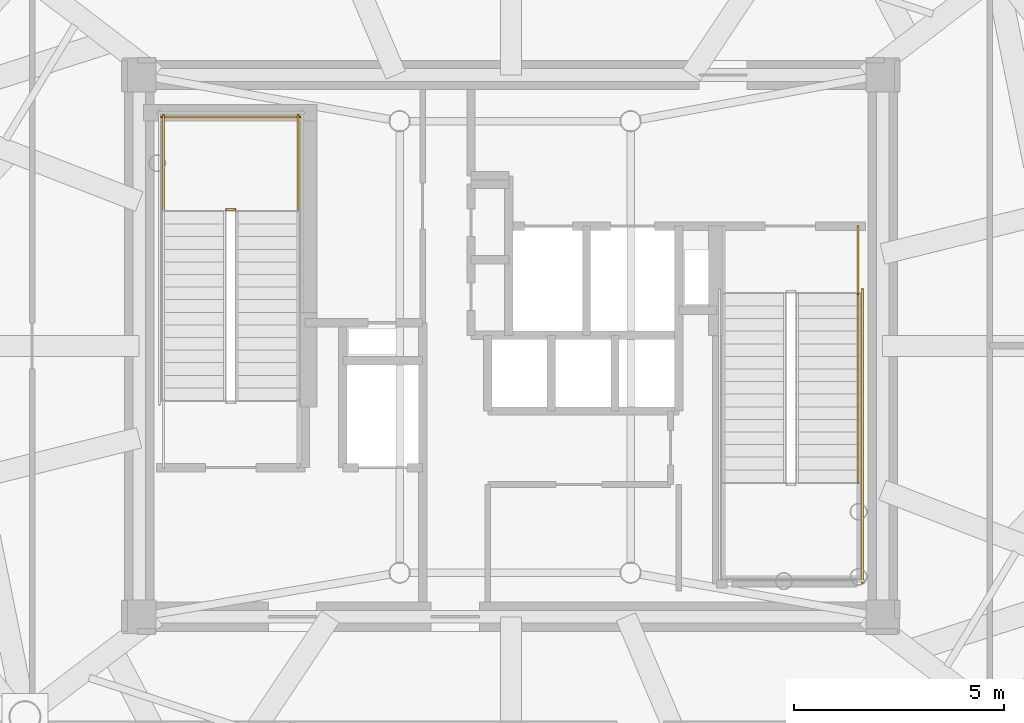
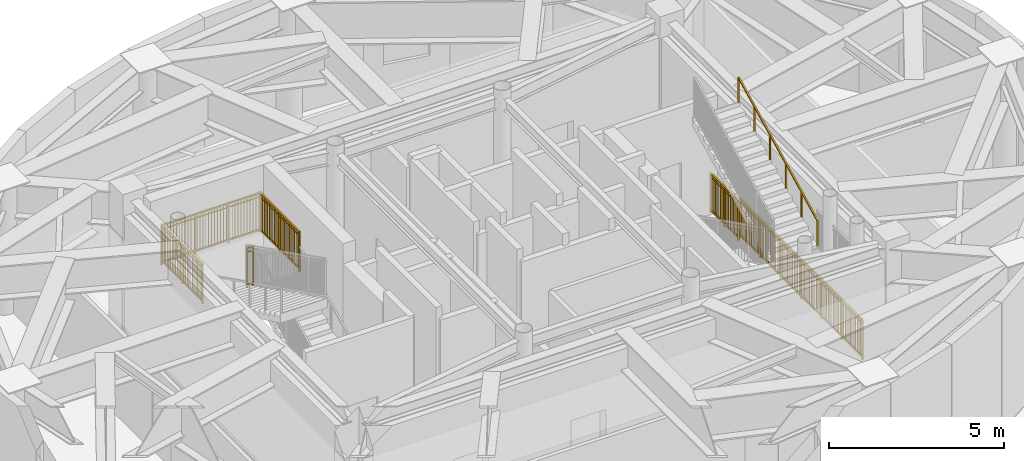
# One storey, part 10 of 11: 7 railings.
"""IFC4 building model written with IfcOpenShell, lengths in metres."""

import ifcopenshell
import ifcopenshell.guid

model = None  # the IFC model being written
_history = None  # IfcOwnerHistory: only IFC2X3 demands one
_inside = {}  # id of a spatial element -> (the spatial element, [elements in it])
_under = {}  # id of a project, library or spatial element -> (it, [spatial elements below it])
_declared = {}  # id of a project -> (the project, [libraries it declares])
_typed = {}  # id of a type object -> (the type object, [elements of that type])
_made_of = {}  # id of a material, layer set ... -> (it, [elements and type objects made of it])


def new_model(schema):
    """Start an empty IFC model of exactly this schema.

    Asked for "IFC4X3", IfcOpenShell would pick the latest addendum, in which some entities
    have other attributes; the version numbers below select the first issue.
    IFC2X3 requires an IfcOwnerHistory on every rooted entity: one is made here for all.
    """
    global model, _history
    if schema == "IFC4X3":
        model = ifcopenshell.file(schema_version=(4, 3, 0, 0))
    else:
        model = ifcopenshell.file(schema=schema)
    _inside.clear()
    _under.clear()
    _declared.clear()
    _typed.clear()
    _made_of.clear()
    _history = None
    if model.schema == "IFC2X3":
        org = make("IfcOrganization", Name="unknown")
        user = make(
            "IfcPersonAndOrganization",
            ThePerson=make("IfcPerson", FamilyName="unknown"),
            TheOrganization=org,
        )
        app = make(
            "IfcApplication",
            ApplicationDeveloper=org,
            Version="unknown",
            ApplicationFullName="unknown",
            ApplicationIdentifier="unknown",
        )
        _history = make(
            "IfcOwnerHistory",
            OwningUser=user,
            OwningApplication=app,
            ChangeAction="ADDED",
            CreationDate=0,
        )
    return model


def make(cls, **values):
    """One entity of the class cls with the attributes given. An attribute that is None is left unset."""
    return model.create_entity(
        cls, **{name: value for name, value in values.items() if value is not None}
    )


def rooted(cls, **values):
    """An entity with a GlobalId (a new one), such as an element, a storey or a relation."""
    return make(cls, GlobalId=ifcopenshell.guid.new(), OwnerHistory=_history, **values)


def si_unit(unit_type, name, prefix=None):
    """IfcSIUnit, for example si_unit("LENGTHUNIT", "METRE", prefix="MILLI")."""
    return make("IfcSIUnit", UnitType=unit_type, Prefix=prefix, Name=name)


def assignment(units):
    """IfcUnitAssignment: the units of a project."""
    return None if units is None else make("IfcUnitAssignment", Units=units)


def point(xyz):
    """IfcCartesianPoint."""
    return None if xyz is None else make("IfcCartesianPoint", Coordinates=xyz)


def direction(xyz):
    """IfcDirection."""
    return None if xyz is None else make("IfcDirection", DirectionRatios=xyz)


def frame(location, z_axis=None, x_axis=None):
    """IfcAxis2Placement3D, a coordinate frame: its origin and axes. An axis left out is left unset."""
    return make(
        "IfcAxis2Placement3D",
        Location=point(location),
        Axis=direction(z_axis),
        RefDirection=direction(x_axis),
    )


def frame_2d(location, x_axis=None):
    """IfcAxis2Placement2D, a coordinate frame in the plane: its origin and x axis."""
    return make(
        "IfcAxis2Placement2D", Location=point(location), RefDirection=direction(x_axis)
    )


def origin():
    """The frame at (0, 0, 0) with its axes left unset."""
    return frame((0.0, 0.0, 0.0))


def origin_2d():
    """The frame at (0, 0) in the plane with its x axis left unset."""
    return frame_2d((0.0, 0.0))


def place(relative_to, where):
    """IfcLocalPlacement: puts the frame where relative to a parent placement (None: the world)."""
    return make(
        "IfcLocalPlacement", PlacementRelTo=relative_to, RelativePlacement=where
    )


def context(
    kind, dimensions, precision=None, world=None, true_north=None, identifier=None
):
    """IfcGeometricRepresentationContext, for example the 3D "Model" context."""
    return make(
        "IfcGeometricRepresentationContext",
        ContextIdentifier=identifier,
        ContextType=kind,
        CoordinateSpaceDimension=dimensions,
        Precision=precision,
        WorldCoordinateSystem=world,
        TrueNorth=true_north,
    )


def subcontext(parent, identifier, kind, view, scale=None):
    """IfcGeometricRepresentationSubContext, for example "Body" below "Model"."""
    return make(
        "IfcGeometricRepresentationSubContext",
        ContextIdentifier=identifier,
        ContextType=kind,
        ParentContext=parent,
        TargetScale=scale,
        TargetView=view,
    )


def project(units=None, contexts=None):
    """IfcProject with its units and contexts."""
    return rooted(
        "IfcProject",
        Name="project",
        RepresentationContexts=contexts,
        UnitsInContext=assignment(units),
    )


def spatial(cls, under=None, at=None, **own):
    """A site, building, storey or space (cls), placed at a placement, below another one or the project."""
    s = rooted(cls, ObjectPlacement=at, **own)
    if under is not None:
        _under.setdefault(under.id(), (under, []))[1].append(s)
    return s


def profile(cls, at=None, kind="AREA", **sizes):
    """A parametric profile (cls). Its sizes go by their IFC names, for example OverallWidth=200.0."""
    return make(cls, ProfileType=kind, Position=at, **sizes)


def rectangle(**sizes):
    """IfcRectangleProfileDef."""
    return profile("IfcRectangleProfileDef", **sizes)


def extrude(swept, where, along, depth):
    """IfcExtrudedAreaSolid: the profile swept, set in the frame where, extruded along a direction by depth."""
    return make(
        "IfcExtrudedAreaSolid",
        SweptArea=swept,
        Position=where,
        ExtrudedDirection=direction(along),
        Depth=depth,
    )


def shape(context_of_items, identifier, shape_type, items):
    """IfcShapeRepresentation: the items that make up one representation, for example the "Body"."""
    return make(
        "IfcShapeRepresentation",
        ContextOfItems=context_of_items,
        RepresentationIdentifier=identifier,
        RepresentationType=shape_type,
        Items=items,
    )


def source(mapping_origin, context_of_items, identifier, shape_type, items):
    """IfcRepresentationMap: a shape defined once, which mapped items show again and again."""
    return make(
        "IfcRepresentationMap",
        MappingOrigin=mapping_origin,
        MappedRepresentation=shape(context_of_items, identifier, shape_type, items),
    )


def transform(
    local_origin,
    x_axis=None,
    y_axis=None,
    z_axis=None,
    scale=None,
    scale2=None,
    scale3=None,
    uniform=True,
):
    """IfcCartesianTransformationOperator3D, or its non-uniform kind. x_axis, y_axis, z_axis: its Axis1, 2, 3."""
    if uniform:
        return make(
            "IfcCartesianTransformationOperator3D",
            Axis1=direction(x_axis),
            Axis2=direction(y_axis),
            LocalOrigin=point(local_origin),
            Scale=scale,
            Axis3=direction(z_axis),
        )
    return make(
        "IfcCartesianTransformationOperator3DnonUniform",
        Axis1=direction(x_axis),
        Axis2=direction(y_axis),
        LocalOrigin=point(local_origin),
        Scale=scale,
        Axis3=direction(z_axis),
        Scale2=scale2,
        Scale3=scale3,
    )


def mapped(mapping_source, mapping_target):
    """IfcMappedItem: shows the shape of a source again, moved by a transform."""
    return make(
        "IfcMappedItem", MappingSource=mapping_source, MappingTarget=mapping_target
    )


def material(Name=None, Category=None):
    """IfcMaterial."""
    return make("IfcMaterial", Name=Name, Category=Category)


def made_of(thing, what):
    """Note that an element or type object is made of a material, layer set ...; save() writes the relation."""
    if what is not None:
        _made_of.setdefault(what.id(), (what, []))[1].append(thing)
    return thing


def type_object(cls, material=None, **own):
    """A type object (cls), such as IfcWallType, which elements share."""
    return made_of(rooted(cls, **own), material)


def element(
    cls,
    number,
    at=None,
    inside=None,
    cuts=None,
    type_object=None,
    material=None,
    context=None,
    identifier="Body",
    shape_type=None,
    held_by="IfcProductDefinitionShape",
    body=None,
    shapes=None,
    **own,
):
    """One element of the class cls, such as IfcWall. Its Tag is "e" and its number.

    at: its placement. inside: the storey or other place that contains it. cuts: it is an
    opening in that element (IfcRelVoidsElement). A single representation is given by context,
    identifier, shape_type and body (its items); several are given by shapes. held_by: the class
    of the entity that holds the representations. save() writes the other relations.
    """
    e = rooted(cls, Tag="e%d" % number, ObjectPlacement=at, **own)
    if body is not None:
        shapes = [shape(context, identifier, shape_type, body)]
    if shapes is not None:
        e.Representation = make(held_by, Representations=shapes)
    if inside is not None:
        _inside.setdefault(inside.id(), (inside, []))[1].append(e)
    if cuts is not None:
        rooted(
            "IfcRelVoidsElement", RelatingBuildingElement=cuts, RelatedOpeningElement=e
        )
    if type_object is not None:
        _typed.setdefault(type_object.id(), (type_object, []))[1].append(e)
    return made_of(e, material)


def aggregate(whole, parts):
    """IfcRelAggregates: a whole, such as a stair, and the parts it consists of."""
    return rooted("IfcRelAggregates", RelatingObject=whole, RelatedObjects=parts)


def save(model, path):
    """Write the relations noted so far, then the file.

    IfcRelAggregates (storeys below a building ...), IfcRelContainedInSpatialStructure (elements
    in a storey), IfcRelDefinesByType, IfcRelAssociatesMaterial and IfcRelDeclares: one each for
    every whole, place, type object, material and project.
    """
    for whole, parts in _under.values():
        aggregate(whole, parts)
    for where, things in _inside.values():
        rooted(
            "IfcRelContainedInSpatialStructure",
            RelatedElements=things,
            RelatingStructure=where,
        )
    for kind, things in _typed.values():
        rooted("IfcRelDefinesByType", RelatedObjects=things, RelatingType=kind)
    for what, things in _made_of.values():
        rooted("IfcRelAssociatesMaterial", RelatedObjects=things, RelatingMaterial=what)
    for by, libraries in _declared.values():
        rooted("IfcRelDeclares", RelatingContext=by, RelatedDefinitions=libraries)
    model.write(path)


model = new_model("IFC4")

# Units and contexts
model_context = context("Model", 3, precision=1e-05, world=origin(), true_north=direction((0.0, 1.0)))
body_context = subcontext(model_context, "Body", "Model", "MODEL_VIEW")
ifc_project = project(units=[si_unit("LENGTHUNIT", "METRE"), si_unit("AREAUNIT", "SQUARE_METRE"), si_unit("VOLUMEUNIT", "CUBIC_METRE"), si_unit("PLANEANGLEUNIT", "RADIAN"), si_unit("MASSUNIT", "GRAM", prefix="KILO")], contexts=[model_context])

# Site, building, storey
site_placement = place(None, origin())
site = spatial("IfcSite", under=ifc_project, at=site_placement, CompositionType="ELEMENT")
building_placement = place(site_placement, origin())
building = spatial("IfcBuilding", under=site, at=building_placement, Name="Linh Dai School and Residence Tower", CompositionType="ELEMENT")
storey_placement = place(building_placement, frame((0.0, 0.0, 363.60009765625)))
storey = spatial("IfcBuildingStorey", under=building, at=storey_placement, Name="L90", CompositionType="ELEMENT", Elevation=363.60009765625)

# Railings
ifc_material_1 = material(Name="Structural Steel S355JR", Category="steel")
railing_type_1 = type_object("IfcRailingType", Name="RL-ST-GUARD-1400", PredefinedType="GUARDRAIL", material=ifc_material_1)
shared_shape_1 = source(origin(), body_context, "Body", "SweptSolid", [
    extrude(rectangle(XDim=0.048095703125, YDim=0.048095703125, at=origin_2d()), frame((0.0, 0.0, 1.3759765625), z_axis=(-1.0, 0.0, 0.0), x_axis=(0.0, -1.0, 0.0)), (0.0, 0.0, 1.0), 0.199951171875),
    extrude(rectangle(XDim=0.048095703125, YDim=0.048095703125, at=origin_2d()), frame((0.0, 0.0, 0.10009765625), z_axis=(-1.0, 0.0, 0.0), x_axis=(0.0, -1.0, 0.0)), (0.0, 0.0, 1.0), 0.199951171875),
    extrude(rectangle(XDim=0.030029296875, YDim=0.030029296875, at=origin_2d()), frame((0.0, 0.0, 1.239990234375), z_axis=(-1.0, 0.0, 0.0), x_axis=(0.0, -1.0, 0.0)), (0.0, 0.0, 1.0), 0.199951171875),
    extrude(rectangle(XDim=0.0419921875, YDim=0.0419921875, at=origin_2d()), origin(), (0.0, 0.0, 1.0), 1.3759765625),
    extrude(rectangle(XDim=0.0419921875, YDim=0.0419921875, at=origin_2d()), frame((-0.199951171875, 0.0, 0.0)), (0.0, 0.0, 1.0), 1.3759765625),
])
railing_1_placement = place(storey_placement, frame((29.429931640625, 30.25, 2.39990234375)))
element("IfcRailing", 1, at=railing_1_placement, inside=storey, type_object=railing_type_1, Name="L90 ST1 stair guard 2", PredefinedType="GUARDRAIL", context=body_context, shape_type="MappedRepresentation", body=[
    mapped(shared_shape_1, transform((0.0, 0.0, 0.0), x_axis=(1.0, 0.0, 0.0), y_axis=(0.0, 1.0, 0.0), z_axis=(0.0, 0.0, 1.0), scale=1.0)),
])
shared_shape_2 = source(origin(), body_context, "Body", "SweptSolid", [
    extrude(rectangle(XDim=0.048095703125, YDim=0.048095703125, at=origin_2d()), frame((0.0, 0.0, 1.3759765625), z_axis=(-1.0, 0.0, 0.0), x_axis=(0.0, -1.0, 0.0)), (0.0, 0.0, 1.0), 3.300048828125),
    extrude(rectangle(XDim=0.048095703125, YDim=0.048095703125, at=origin_2d()), frame((0.0, 0.0, 0.10009765625), z_axis=(-1.0, 0.0, 0.0), x_axis=(0.0, -1.0, 0.0)), (0.0, 0.0, 1.0), 3.300048828125),
    extrude(rectangle(XDim=0.030029296875, YDim=0.030029296875, at=origin_2d()), frame((0.0, 0.0, 1.239990234375), z_axis=(-1.0, 0.0, 0.0), x_axis=(0.0, -1.0, 0.0)), (0.0, 0.0, 1.0), 3.300048828125),
    extrude(rectangle(XDim=0.02001953125, YDim=0.02001953125, at=origin_2d()), frame((-0.09716796875, 0.0, 0.10009765625)), (0.0, 0.0, 1.0), 1.251708984375),
    extrude(rectangle(XDim=0.02001953125, YDim=0.02001953125, at=origin_2d()), frame((-0.194091796875, 0.0, 0.10009765625)), (0.0, 0.0, 1.0), 1.251708984375),
    extrude(rectangle(XDim=0.02001953125, YDim=0.02001953125, at=origin_2d()), frame((-0.291259765625, 0.0, 0.10009765625)), (0.0, 0.0, 1.0), 1.251708984375),
    extrude(rectangle(XDim=0.02001953125, YDim=0.02001953125, at=origin_2d()), frame((-0.38818359375, 0.0, 0.10009765625)), (0.0, 0.0, 1.0), 1.251708984375),
    extrude(rectangle(XDim=0.02001953125, YDim=0.02001953125, at=origin_2d()), frame((-0.4853515625, 0.0, 0.10009765625)), (0.0, 0.0, 1.0), 1.251708984375),
    extrude(rectangle(XDim=0.02001953125, YDim=0.02001953125, at=origin_2d()), frame((-0.582275390625, 0.0, 0.10009765625)), (0.0, 0.0, 1.0), 1.251708984375),
    extrude(rectangle(XDim=0.02001953125, YDim=0.02001953125, at=origin_2d()), frame((-0.679443359375, 0.0, 0.10009765625)), (0.0, 0.0, 1.0), 1.251708984375),
    extrude(rectangle(XDim=0.02001953125, YDim=0.02001953125, at=origin_2d()), frame((-0.7763671875, 0.0, 0.10009765625)), (0.0, 0.0, 1.0), 1.251708984375),
    extrude(rectangle(XDim=0.02001953125, YDim=0.02001953125, at=origin_2d()), frame((-0.87353515625, 0.0, 0.10009765625)), (0.0, 0.0, 1.0), 1.251708984375),
    extrude(rectangle(XDim=0.02001953125, YDim=0.02001953125, at=origin_2d()), frame((-0.970703125, 0.0, 0.10009765625)), (0.0, 0.0, 1.0), 1.251708984375),
    extrude(rectangle(XDim=0.02001953125, YDim=0.02001953125, at=origin_2d()), frame((-1.164794921875, 0.0, 0.10009765625)), (0.0, 0.0, 1.0), 1.251708984375),
    extrude(rectangle(XDim=0.02001953125, YDim=0.02001953125, at=origin_2d()), frame((-1.26171875, 0.0, 0.10009765625)), (0.0, 0.0, 1.0), 1.251708984375),
    extrude(rectangle(XDim=0.02001953125, YDim=0.02001953125, at=origin_2d()), frame((-1.35888671875, 0.0, 0.10009765625)), (0.0, 0.0, 1.0), 1.251708984375),
    extrude(rectangle(XDim=0.02001953125, YDim=0.02001953125, at=origin_2d()), frame((-1.455810546875, 0.0, 0.10009765625)), (0.0, 0.0, 1.0), 1.251708984375),
    extrude(rectangle(XDim=0.02001953125, YDim=0.02001953125, at=origin_2d()), frame((-1.552978515625, 0.0, 0.10009765625)), (0.0, 0.0, 1.0), 1.251708984375),
    extrude(rectangle(XDim=0.02001953125, YDim=0.02001953125, at=origin_2d()), frame((-1.64990234375, 0.0, 0.10009765625)), (0.0, 0.0, 1.0), 1.251708984375),
    extrude(rectangle(XDim=0.02001953125, YDim=0.02001953125, at=origin_2d()), frame((-1.7470703125, 0.0, 0.10009765625)), (0.0, 0.0, 1.0), 1.251708984375),
    extrude(rectangle(XDim=0.02001953125, YDim=0.02001953125, at=origin_2d()), frame((-1.84423828125, 0.0, 0.10009765625)), (0.0, 0.0, 1.0), 1.251708984375),
    extrude(rectangle(XDim=0.02001953125, YDim=0.02001953125, at=origin_2d()), frame((-1.941162109375, 0.0, 0.10009765625)), (0.0, 0.0, 1.0), 1.251708984375),
    extrude(rectangle(XDim=0.02001953125, YDim=0.02001953125, at=origin_2d()), frame((-2.038330078125, 0.0, 0.10009765625)), (0.0, 0.0, 1.0), 1.251708984375),
    extrude(rectangle(XDim=0.02001953125, YDim=0.02001953125, at=origin_2d()), frame((-2.13525390625, 0.0, 0.10009765625)), (0.0, 0.0, 1.0), 1.251708984375),
    extrude(rectangle(XDim=0.02001953125, YDim=0.02001953125, at=origin_2d()), frame((-2.329345703125, 0.0, 0.10009765625)), (0.0, 0.0, 1.0), 1.251708984375),
    extrude(rectangle(XDim=0.02001953125, YDim=0.02001953125, at=origin_2d()), frame((-2.426513671875, 0.0, 0.10009765625)), (0.0, 0.0, 1.0), 1.251708984375),
    extrude(rectangle(XDim=0.02001953125, YDim=0.02001953125, at=origin_2d()), frame((-2.523681640625, 0.0, 0.10009765625)), (0.0, 0.0, 1.0), 1.251708984375),
    extrude(rectangle(XDim=0.02001953125, YDim=0.02001953125, at=origin_2d()), frame((-2.62060546875, 0.0, 0.10009765625)), (0.0, 0.0, 1.0), 1.251708984375),
    extrude(rectangle(XDim=0.02001953125, YDim=0.02001953125, at=origin_2d()), frame((-2.7177734375, 0.0, 0.10009765625)), (0.0, 0.0, 1.0), 1.251708984375),
    extrude(rectangle(XDim=0.02001953125, YDim=0.02001953125, at=origin_2d()), frame((-2.814697265625, 0.0, 0.10009765625)), (0.0, 0.0, 1.0), 1.251708984375),
    extrude(rectangle(XDim=0.02001953125, YDim=0.02001953125, at=origin_2d()), frame((-2.911865234375, 0.0, 0.10009765625)), (0.0, 0.0, 1.0), 1.251708984375),
    extrude(rectangle(XDim=0.02001953125, YDim=0.02001953125, at=origin_2d()), frame((-3.0087890625, 0.0, 0.10009765625)), (0.0, 0.0, 1.0), 1.251708984375),
    extrude(rectangle(XDim=0.02001953125, YDim=0.02001953125, at=origin_2d()), frame((-3.10595703125, 0.0, 0.10009765625)), (0.0, 0.0, 1.0), 1.251708984375),
    extrude(rectangle(XDim=0.02001953125, YDim=0.02001953125, at=origin_2d()), frame((-3.202880859375, 0.0, 0.10009765625)), (0.0, 0.0, 1.0), 1.251708984375),
    extrude(rectangle(XDim=0.0419921875, YDim=0.0419921875, at=origin_2d()), origin(), (0.0, 0.0, 1.0), 1.3759765625),
    extrude(rectangle(XDim=0.0419921875, YDim=0.0419921875, at=origin_2d()), frame((-1.10009765625, 0.0, 0.0)), (0.0, 0.0, 1.0), 1.3759765625),
    extrude(rectangle(XDim=0.0419921875, YDim=0.0419921875, at=origin_2d()), frame((-2.199951171875, 0.0, 0.0)), (0.0, 0.0, 1.0), 1.3759765625),
    extrude(rectangle(XDim=0.0419921875, YDim=0.0419921875, at=origin_2d()), frame((-3.300048828125, 0.0, 0.0)), (0.0, 0.0, 1.0), 1.3759765625),
])
railing_2_placement = place(storey_placement, frame((30.97998046875, 32.449951171875, 2.39990234375)))
element("IfcRailing", 2, at=railing_2_placement, inside=storey, type_object=railing_type_1, Name="L90 ST1 stair guard 5", PredefinedType="GUARDRAIL", context=body_context, shape_type="MappedRepresentation", body=[
    mapped(shared_shape_2, transform((0.0, 0.0, 0.0), x_axis=(1.0, 0.0, 0.0), y_axis=(0.0, 1.0, 0.0), z_axis=(0.0, 0.0, 1.0), scale=1.0)),
])
shared_shape_3 = source(origin(), body_context, "Body", "SweptSolid", [
    extrude(rectangle(XDim=0.048095703125, YDim=0.048095703125, at=origin_2d()), frame((0.0, 0.0, 1.3759765625), z_axis=(0.0, 1.0, 0.0), x_axis=(-1.0, 0.0, 0.0)), (0.0, 0.0, 1.0), 2.300048828125),
    extrude(rectangle(XDim=0.048095703125, YDim=0.048095703125, at=origin_2d()), frame((0.0, 0.0, 0.10009765625), z_axis=(0.0, 1.0, 0.0), x_axis=(-1.0, 0.0, 0.0)), (0.0, 0.0, 1.0), 2.300048828125),
    extrude(rectangle(XDim=0.030029296875, YDim=0.030029296875, at=origin_2d()), frame((0.0, 0.0, 1.239990234375), z_axis=(0.0, 1.0, 0.0), x_axis=(-1.0, 0.0, 0.0)), (0.0, 0.0, 1.0), 2.300048828125),
    extrude(rectangle(XDim=0.02001953125, YDim=0.02001953125, at=origin_2d()), frame((0.0, 0.095947265625, 0.10009765625)), (0.0, 0.0, 1.0), 1.251708984375),
    extrude(rectangle(XDim=0.02001953125, YDim=0.02001953125, at=origin_2d()), frame((0.0, 0.191650390625, 0.10009765625)), (0.0, 0.0, 1.0), 1.251708984375),
    extrude(rectangle(XDim=0.02001953125, YDim=0.02001953125, at=origin_2d()), frame((0.0, 0.28759765625, 0.10009765625)), (0.0, 0.0, 1.0), 1.251708984375),
    extrude(rectangle(XDim=0.02001953125, YDim=0.02001953125, at=origin_2d()), frame((0.0, 0.38330078125, 0.10009765625)), (0.0, 0.0, 1.0), 1.251708984375),
    extrude(rectangle(XDim=0.02001953125, YDim=0.02001953125, at=origin_2d()), frame((0.0, 0.479248046875, 0.10009765625)), (0.0, 0.0, 1.0), 1.251708984375),
    extrude(rectangle(XDim=0.02001953125, YDim=0.02001953125, at=origin_2d()), frame((0.0, 0.574951171875, 0.10009765625)), (0.0, 0.0, 1.0), 1.251708984375),
    extrude(rectangle(XDim=0.02001953125, YDim=0.02001953125, at=origin_2d()), frame((0.0, 0.6708984375, 0.10009765625)), (0.0, 0.0, 1.0), 1.251708984375),
    extrude(rectangle(XDim=0.02001953125, YDim=0.02001953125, at=origin_2d()), frame((0.0, 0.7666015625, 0.10009765625)), (0.0, 0.0, 1.0), 1.251708984375),
    extrude(rectangle(XDim=0.02001953125, YDim=0.02001953125, at=origin_2d()), frame((0.0, 0.862548828125, 0.10009765625)), (0.0, 0.0, 1.0), 1.251708984375),
    extrude(rectangle(XDim=0.02001953125, YDim=0.02001953125, at=origin_2d()), frame((0.0, 0.958251953125, 0.10009765625)), (0.0, 0.0, 1.0), 1.251708984375),
    extrude(rectangle(XDim=0.02001953125, YDim=0.02001953125, at=origin_2d()), frame((0.0, 1.05419921875, 0.10009765625)), (0.0, 0.0, 1.0), 1.251708984375),
    extrude(rectangle(XDim=0.02001953125, YDim=0.02001953125, at=origin_2d()), frame((0.0, 1.245849609375, 0.10009765625)), (0.0, 0.0, 1.0), 1.251708984375),
    extrude(rectangle(XDim=0.02001953125, YDim=0.02001953125, at=origin_2d()), frame((0.0, 1.341796875, 0.10009765625)), (0.0, 0.0, 1.0), 1.251708984375),
    extrude(rectangle(XDim=0.02001953125, YDim=0.02001953125, at=origin_2d()), frame((0.0, 1.4375, 0.10009765625)), (0.0, 0.0, 1.0), 1.251708984375),
    extrude(rectangle(XDim=0.02001953125, YDim=0.02001953125, at=origin_2d()), frame((0.0, 1.533447265625, 0.10009765625)), (0.0, 0.0, 1.0), 1.251708984375),
    extrude(rectangle(XDim=0.02001953125, YDim=0.02001953125, at=origin_2d()), frame((0.0, 1.629150390625, 0.10009765625)), (0.0, 0.0, 1.0), 1.251708984375),
    extrude(rectangle(XDim=0.02001953125, YDim=0.02001953125, at=origin_2d()), frame((0.0, 1.72509765625, 0.10009765625)), (0.0, 0.0, 1.0), 1.251708984375),
    extrude(rectangle(XDim=0.02001953125, YDim=0.02001953125, at=origin_2d()), frame((0.0, 1.82080078125, 0.10009765625)), (0.0, 0.0, 1.0), 1.251708984375),
    extrude(rectangle(XDim=0.02001953125, YDim=0.02001953125, at=origin_2d()), frame((0.0, 1.916748046875, 0.10009765625)), (0.0, 0.0, 1.0), 1.251708984375),
    extrude(rectangle(XDim=0.02001953125, YDim=0.02001953125, at=origin_2d()), frame((0.0, 2.012451171875, 0.10009765625)), (0.0, 0.0, 1.0), 1.251708984375),
    extrude(rectangle(XDim=0.02001953125, YDim=0.02001953125, at=origin_2d()), frame((0.0, 2.1083984375, 0.10009765625)), (0.0, 0.0, 1.0), 1.251708984375),
    extrude(rectangle(XDim=0.02001953125, YDim=0.02001953125, at=origin_2d()), frame((0.0, 2.2041015625, 0.10009765625)), (0.0, 0.0, 1.0), 1.251708984375),
    extrude(rectangle(XDim=0.0419921875, YDim=0.0419921875, at=origin_2d()), origin(), (0.0, 0.0, 1.0), 1.3759765625),
    extrude(rectangle(XDim=0.0419921875, YDim=0.0419921875, at=origin_2d()), frame((0.0, 1.14990234375, 0.0)), (0.0, 0.0, 1.0), 1.3759765625),
    extrude(rectangle(XDim=0.0419921875, YDim=0.0419921875, at=origin_2d()), frame((0.0, 2.300048828125, 0.0)), (0.0, 0.0, 1.0), 1.3759765625),
])
for number, where, name in (
    (3, (30.929931640625, 30.199951171875, 2.39990234375), "L90 ST1 stair guard 3"),
    (4, (27.72998046875, 30.199951171875, 2.39990234375), "L90 ST1 stair guard 4"),
):
    element("IfcRailing", number, at=place(storey_placement, frame(where)), inside=storey, type_object=railing_type_1, Name=name, PredefinedType="GUARDRAIL", context=body_context, shape_type="MappedRepresentation", body=[
        mapped(shared_shape_3, transform((0.0, 0.0, 0.0), x_axis=(1.0, 0.0, 0.0), y_axis=(0.0, 1.0, 0.0), z_axis=(0.0, 0.0, 1.0), scale=1.0)),
    ])
ifc_material_2 = material(Name="Brushed Stainless Steel Handrail", Category="steel")
railing_type_2 = type_object("IfcRailingType", Name="RL-ST-HANDRAIL-900", PredefinedType="HANDRAIL", material=ifc_material_2)
shared_shape_4 = source(origin(), body_context, "Body", "SweptSolid", [
    extrude(rectangle(XDim=0.048095703125, YDim=0.048095703125, at=origin_2d()), frame((0.0, 0.0, 0.8759765625), z_axis=(0.0, 0.894427191, 0.4472135955), x_axis=(-1.0, 0.0, 0.0)), (0.0, 0.0, 1.0), 5.03125),
    extrude(rectangle(XDim=0.0419921875, YDim=0.0419921875, at=origin_2d()), origin(), (0.0, 0.0, 1.0), 0.8759765625),
    extrude(rectangle(XDim=0.0419921875, YDim=0.0419921875, at=origin_2d()), frame((0.0, 0.89990234375, 0.449951171875)), (0.0, 0.0, 1.0), 0.8759765625),
    extrude(rectangle(XDim=0.0419921875, YDim=0.0419921875, at=origin_2d()), frame((0.0, 1.800048828125, 0.89990234375)), (0.0, 0.0, 1.0), 0.8759765625),
    extrude(rectangle(XDim=0.0419921875, YDim=0.0419921875, at=origin_2d()), frame((0.0, 2.699951171875, 1.35009765625)), (0.0, 0.0, 1.0), 0.8759765625),
    extrude(rectangle(XDim=0.0419921875, YDim=0.0419921875, at=origin_2d()), frame((0.0, 3.60009765625, 1.800048828125)), (0.0, 0.0, 1.0), 0.8759765625),
    extrude(rectangle(XDim=0.0419921875, YDim=0.0419921875, at=origin_2d()), frame((0.0, 4.5, 2.25)), (0.0, 0.0, 1.0), 0.8759765625),
])
railing_3_placement = place(storey_placement, frame((44.27001953125, 23.75, 2.5498046875)))
element("IfcRailing", 5, at=railing_3_placement, inside=storey, type_object=railing_type_2, Name="L90 ST2 stair handrail 2", PredefinedType="HANDRAIL", context=body_context, shape_type="MappedRepresentation", body=[
    mapped(shared_shape_4, transform((0.0, 0.0, 0.0), x_axis=(1.0, 0.0, 0.0), y_axis=(0.0, 1.0, 0.0), z_axis=(0.0, 0.0, 1.0), scale=1.0)),
])
shared_shape_5 = source(origin(), body_context, "Body", "SweptSolid", [
    extrude(rectangle(XDim=0.048095703125, YDim=0.048095703125, at=origin_2d()), frame((0.0, 0.0, 1.3759765625), z_axis=(0.0, -1.0, 0.0), x_axis=(1.0, 0.0, 0.0)), (0.0, 0.0, 1.0), 1.60009765625),
    extrude(rectangle(XDim=0.048095703125, YDim=0.048095703125, at=origin_2d()), frame((0.0, 0.0, 0.10009765625), z_axis=(0.0, -1.0, 0.0), x_axis=(1.0, 0.0, 0.0)), (0.0, 0.0, 1.0), 1.60009765625),
    extrude(rectangle(XDim=0.030029296875, YDim=0.030029296875, at=origin_2d()), frame((0.0, 0.0, 1.239990234375), z_axis=(0.0, -1.0, 0.0), x_axis=(1.0, 0.0, 0.0)), (0.0, 0.0, 1.0), 1.60009765625),
    extrude(rectangle(XDim=0.02001953125, YDim=0.02001953125, at=origin_2d()), frame((0.0, -0.09423828125, 0.10009765625)), (0.0, 0.0, 1.0), 1.251708984375),
    extrude(rectangle(XDim=0.02001953125, YDim=0.02001953125, at=origin_2d()), frame((0.0, -0.188232421875, 0.10009765625)), (0.0, 0.0, 1.0), 1.251708984375),
    extrude(rectangle(XDim=0.02001953125, YDim=0.02001953125, at=origin_2d()), frame((0.0, -0.282470703125, 0.10009765625)), (0.0, 0.0, 1.0), 1.251708984375),
    extrude(rectangle(XDim=0.02001953125, YDim=0.02001953125, at=origin_2d()), frame((0.0, -0.37646484375, 0.10009765625)), (0.0, 0.0, 1.0), 1.251708984375),
    extrude(rectangle(XDim=0.02001953125, YDim=0.02001953125, at=origin_2d()), frame((0.0, -0.470703125, 0.10009765625)), (0.0, 0.0, 1.0), 1.251708984375),
    extrude(rectangle(XDim=0.02001953125, YDim=0.02001953125, at=origin_2d()), frame((0.0, -0.564697265625, 0.10009765625)), (0.0, 0.0, 1.0), 1.251708984375),
    extrude(rectangle(XDim=0.02001953125, YDim=0.02001953125, at=origin_2d()), frame((0.0, -0.658935546875, 0.10009765625)), (0.0, 0.0, 1.0), 1.251708984375),
    extrude(rectangle(XDim=0.02001953125, YDim=0.02001953125, at=origin_2d()), frame((0.0, -0.7529296875, 0.10009765625)), (0.0, 0.0, 1.0), 1.251708984375),
    extrude(rectangle(XDim=0.02001953125, YDim=0.02001953125, at=origin_2d()), frame((0.0, -0.84716796875, 0.10009765625)), (0.0, 0.0, 1.0), 1.251708984375),
    extrude(rectangle(XDim=0.02001953125, YDim=0.02001953125, at=origin_2d()), frame((0.0, -0.941162109375, 0.10009765625)), (0.0, 0.0, 1.0), 1.251708984375),
    extrude(rectangle(XDim=0.02001953125, YDim=0.02001953125, at=origin_2d()), frame((0.0, -1.035400390625, 0.10009765625)), (0.0, 0.0, 1.0), 1.251708984375),
    extrude(rectangle(XDim=0.02001953125, YDim=0.02001953125, at=origin_2d()), frame((0.0, -1.12939453125, 0.10009765625)), (0.0, 0.0, 1.0), 1.251708984375),
    extrude(rectangle(XDim=0.02001953125, YDim=0.02001953125, at=origin_2d()), frame((0.0, -1.2236328125, 0.10009765625)), (0.0, 0.0, 1.0), 1.251708984375),
    extrude(rectangle(XDim=0.02001953125, YDim=0.02001953125, at=origin_2d()), frame((0.0, -1.317626953125, 0.10009765625)), (0.0, 0.0, 1.0), 1.251708984375),
    extrude(rectangle(XDim=0.02001953125, YDim=0.02001953125, at=origin_2d()), frame((0.0, -1.411865234375, 0.10009765625)), (0.0, 0.0, 1.0), 1.251708984375),
    extrude(rectangle(XDim=0.02001953125, YDim=0.02001953125, at=origin_2d()), frame((0.0, -1.505859375, 0.10009765625)), (0.0, 0.0, 1.0), 1.251708984375),
    extrude(rectangle(XDim=0.0419921875, YDim=0.0419921875, at=origin_2d()), origin(), (0.0, 0.0, 1.0), 1.3759765625),
    extrude(rectangle(XDim=0.0419921875, YDim=0.0419921875, at=origin_2d()), frame((0.0, -0.800048828125, 0.0)), (0.0, 0.0, 1.0), 1.3759765625),
    extrude(rectangle(XDim=0.0419921875, YDim=0.0419921875, at=origin_2d()), frame((0.0, -1.60009765625, 0.0)), (0.0, 0.0, 1.0), 1.3759765625),
])
railing_4_placement = place(storey_placement, frame((44.27001953125, 29.85009765625, 0.0)))
element("IfcRailing", 6, at=railing_4_placement, inside=storey, type_object=railing_type_1, Name="L90 ST2 stair guard 9", PredefinedType="GUARDRAIL", context=body_context, shape_type="MappedRepresentation", body=[
    mapped(shared_shape_5, transform((0.0, 0.0, 0.0), x_axis=(1.0, 0.0, 0.0), y_axis=(0.0, 1.0, 0.0), z_axis=(0.0, 0.0, 1.0), scale=1.0)),
])
shared_shape_6 = source(origin(), body_context, "Body", "SweptSolid", [
    extrude(rectangle(XDim=0.048095703125, YDim=0.048095703125, at=origin_2d()), frame((0.0, 0.0, 1.3759765625), z_axis=(0.0, -1.0, 0.0), x_axis=(1.0, 0.0, 0.0)), (0.0, 0.0, 1.0), 7.0),
    extrude(rectangle(XDim=0.048095703125, YDim=0.048095703125, at=origin_2d()), frame((0.0, 0.0, 0.10009765625), z_axis=(0.0, -1.0, 0.0), x_axis=(1.0, 0.0, 0.0)), (0.0, 0.0, 1.0), 7.0),
    extrude(rectangle(XDim=0.030029296875, YDim=0.030029296875, at=origin_2d()), frame((0.0, 0.0, 1.239990234375), z_axis=(0.0, -1.0, 0.0), x_axis=(1.0, 0.0, 0.0)), (0.0, 0.0, 1.0), 7.0),
    extrude(rectangle(XDim=0.02001953125, YDim=0.02001953125, at=origin_2d()), frame((0.0, -0.09716796875, 0.10009765625)), (0.0, 0.0, 1.0), 1.251708984375),
    extrude(rectangle(XDim=0.02001953125, YDim=0.02001953125, at=origin_2d()), frame((0.0, -0.1943359375, 0.10009765625)), (0.0, 0.0, 1.0), 1.251708984375),
    extrude(rectangle(XDim=0.02001953125, YDim=0.02001953125, at=origin_2d()), frame((0.0, -0.291748046875, 0.10009765625)), (0.0, 0.0, 1.0), 1.251708984375),
    extrude(rectangle(XDim=0.02001953125, YDim=0.02001953125, at=origin_2d()), frame((0.0, -0.388916015625, 0.10009765625)), (0.0, 0.0, 1.0), 1.251708984375),
    extrude(rectangle(XDim=0.02001953125, YDim=0.02001953125, at=origin_2d()), frame((0.0, -0.486083984375, 0.10009765625)), (0.0, 0.0, 1.0), 1.251708984375),
    extrude(rectangle(XDim=0.02001953125, YDim=0.02001953125, at=origin_2d()), frame((0.0, -0.583251953125, 0.10009765625)), (0.0, 0.0, 1.0), 1.251708984375),
    extrude(rectangle(XDim=0.02001953125, YDim=0.02001953125, at=origin_2d()), frame((0.0, -0.6806640625, 0.10009765625)), (0.0, 0.0, 1.0), 1.251708984375),
    extrude(rectangle(XDim=0.02001953125, YDim=0.02001953125, at=origin_2d()), frame((0.0, -0.77783203125, 0.10009765625)), (0.0, 0.0, 1.0), 1.251708984375),
    extrude(rectangle(XDim=0.02001953125, YDim=0.02001953125, at=origin_2d()), frame((0.0, -0.875, 0.10009765625)), (0.0, 0.0, 1.0), 1.251708984375),
    extrude(rectangle(XDim=0.02001953125, YDim=0.02001953125, at=origin_2d()), frame((0.0, -0.97216796875, 0.10009765625)), (0.0, 0.0, 1.0), 1.251708984375),
    extrude(rectangle(XDim=0.02001953125, YDim=0.02001953125, at=origin_2d()), frame((0.0, -1.0693359375, 0.10009765625)), (0.0, 0.0, 1.0), 1.251708984375),
    extrude(rectangle(XDim=0.02001953125, YDim=0.02001953125, at=origin_2d()), frame((0.0, -1.263916015625, 0.10009765625)), (0.0, 0.0, 1.0), 1.251708984375),
    extrude(rectangle(XDim=0.02001953125, YDim=0.02001953125, at=origin_2d()), frame((0.0, -1.361083984375, 0.10009765625)), (0.0, 0.0, 1.0), 1.251708984375),
    extrude(rectangle(XDim=0.02001953125, YDim=0.02001953125, at=origin_2d()), frame((0.0, -1.458251953125, 0.10009765625)), (0.0, 0.0, 1.0), 1.251708984375),
    extrude(rectangle(XDim=0.02001953125, YDim=0.02001953125, at=origin_2d()), frame((0.0, -1.5556640625, 0.10009765625)), (0.0, 0.0, 1.0), 1.251708984375),
    extrude(rectangle(XDim=0.02001953125, YDim=0.02001953125, at=origin_2d()), frame((0.0, -1.65283203125, 0.10009765625)), (0.0, 0.0, 1.0), 1.251708984375),
    extrude(rectangle(XDim=0.02001953125, YDim=0.02001953125, at=origin_2d()), frame((0.0, -1.75, 0.10009765625)), (0.0, 0.0, 1.0), 1.251708984375),
    extrude(rectangle(XDim=0.02001953125, YDim=0.02001953125, at=origin_2d()), frame((0.0, -1.84716796875, 0.10009765625)), (0.0, 0.0, 1.0), 1.251708984375),
    extrude(rectangle(XDim=0.02001953125, YDim=0.02001953125, at=origin_2d()), frame((0.0, -1.9443359375, 0.10009765625)), (0.0, 0.0, 1.0), 1.251708984375),
    extrude(rectangle(XDim=0.02001953125, YDim=0.02001953125, at=origin_2d()), frame((0.0, -2.041748046875, 0.10009765625)), (0.0, 0.0, 1.0), 1.251708984375),
    extrude(rectangle(XDim=0.02001953125, YDim=0.02001953125, at=origin_2d()), frame((0.0, -2.138916015625, 0.10009765625)), (0.0, 0.0, 1.0), 1.251708984375),
    extrude(rectangle(XDim=0.02001953125, YDim=0.02001953125, at=origin_2d()), frame((0.0, -2.236083984375, 0.10009765625)), (0.0, 0.0, 1.0), 1.251708984375),
    extrude(rectangle(XDim=0.02001953125, YDim=0.02001953125, at=origin_2d()), frame((0.0, -2.4306640625, 0.10009765625)), (0.0, 0.0, 1.0), 1.251708984375),
    extrude(rectangle(XDim=0.02001953125, YDim=0.02001953125, at=origin_2d()), frame((0.0, -2.52783203125, 0.10009765625)), (0.0, 0.0, 1.0), 1.251708984375),
    extrude(rectangle(XDim=0.02001953125, YDim=0.02001953125, at=origin_2d()), frame((0.0, -2.625, 0.10009765625)), (0.0, 0.0, 1.0), 1.251708984375),
    extrude(rectangle(XDim=0.02001953125, YDim=0.02001953125, at=origin_2d()), frame((0.0, -2.72216796875, 0.10009765625)), (0.0, 0.0, 1.0), 1.251708984375),
    extrude(rectangle(XDim=0.02001953125, YDim=0.02001953125, at=origin_2d()), frame((0.0, -2.8193359375, 0.10009765625)), (0.0, 0.0, 1.0), 1.251708984375),
    extrude(rectangle(XDim=0.02001953125, YDim=0.02001953125, at=origin_2d()), frame((0.0, -2.916748046875, 0.10009765625)), (0.0, 0.0, 1.0), 1.251708984375),
    extrude(rectangle(XDim=0.02001953125, YDim=0.02001953125, at=origin_2d()), frame((0.0, -3.013916015625, 0.10009765625)), (0.0, 0.0, 1.0), 1.251708984375),
    extrude(rectangle(XDim=0.02001953125, YDim=0.02001953125, at=origin_2d()), frame((0.0, -3.111083984375, 0.10009765625)), (0.0, 0.0, 1.0), 1.251708984375),
    extrude(rectangle(XDim=0.02001953125, YDim=0.02001953125, at=origin_2d()), frame((0.0, -3.208251953125, 0.10009765625)), (0.0, 0.0, 1.0), 1.251708984375),
    extrude(rectangle(XDim=0.02001953125, YDim=0.02001953125, at=origin_2d()), frame((0.0, -3.3056640625, 0.10009765625)), (0.0, 0.0, 1.0), 1.251708984375),
    extrude(rectangle(XDim=0.02001953125, YDim=0.02001953125, at=origin_2d()), frame((0.0, -3.40283203125, 0.10009765625)), (0.0, 0.0, 1.0), 1.251708984375),
    extrude(rectangle(XDim=0.02001953125, YDim=0.02001953125, at=origin_2d()), frame((0.0, -3.59716796875, 0.10009765625)), (0.0, 0.0, 1.0), 1.251708984375),
    extrude(rectangle(XDim=0.02001953125, YDim=0.02001953125, at=origin_2d()), frame((0.0, -3.6943359375, 0.10009765625)), (0.0, 0.0, 1.0), 1.251708984375),
    extrude(rectangle(XDim=0.02001953125, YDim=0.02001953125, at=origin_2d()), frame((0.0, -3.791748046875, 0.10009765625)), (0.0, 0.0, 1.0), 1.251708984375),
    extrude(rectangle(XDim=0.02001953125, YDim=0.02001953125, at=origin_2d()), frame((0.0, -3.888916015625, 0.10009765625)), (0.0, 0.0, 1.0), 1.251708984375),
    extrude(rectangle(XDim=0.02001953125, YDim=0.02001953125, at=origin_2d()), frame((0.0, -3.986083984375, 0.10009765625)), (0.0, 0.0, 1.0), 1.251708984375),
    extrude(rectangle(XDim=0.02001953125, YDim=0.02001953125, at=origin_2d()), frame((0.0, -4.083251953125, 0.10009765625)), (0.0, 0.0, 1.0), 1.251708984375),
    extrude(rectangle(XDim=0.02001953125, YDim=0.02001953125, at=origin_2d()), frame((0.0, -4.1806640625, 0.10009765625)), (0.0, 0.0, 1.0), 1.251708984375),
    extrude(rectangle(XDim=0.02001953125, YDim=0.02001953125, at=origin_2d()), frame((0.0, -4.27783203125, 0.10009765625)), (0.0, 0.0, 1.0), 1.251708984375),
    extrude(rectangle(XDim=0.02001953125, YDim=0.02001953125, at=origin_2d()), frame((0.0, -4.375, 0.10009765625)), (0.0, 0.0, 1.0), 1.251708984375),
    extrude(rectangle(XDim=0.02001953125, YDim=0.02001953125, at=origin_2d()), frame((0.0, -4.47216796875, 0.10009765625)), (0.0, 0.0, 1.0), 1.251708984375),
    extrude(rectangle(XDim=0.02001953125, YDim=0.02001953125, at=origin_2d()), frame((0.0, -4.5693359375, 0.10009765625)), (0.0, 0.0, 1.0), 1.251708984375),
    extrude(rectangle(XDim=0.02001953125, YDim=0.02001953125, at=origin_2d()), frame((0.0, -4.763916015625, 0.10009765625)), (0.0, 0.0, 1.0), 1.251708984375),
    extrude(rectangle(XDim=0.02001953125, YDim=0.02001953125, at=origin_2d()), frame((0.0, -4.861083984375, 0.10009765625)), (0.0, 0.0, 1.0), 1.251708984375),
    extrude(rectangle(XDim=0.02001953125, YDim=0.02001953125, at=origin_2d()), frame((0.0, -4.958251953125, 0.10009765625)), (0.0, 0.0, 1.0), 1.251708984375),
    extrude(rectangle(XDim=0.02001953125, YDim=0.02001953125, at=origin_2d()), frame((0.0, -5.0556640625, 0.10009765625)), (0.0, 0.0, 1.0), 1.251708984375),
    extrude(rectangle(XDim=0.02001953125, YDim=0.02001953125, at=origin_2d()), frame((0.0, -5.15283203125, 0.10009765625)), (0.0, 0.0, 1.0), 1.251708984375),
    extrude(rectangle(XDim=0.02001953125, YDim=0.02001953125, at=origin_2d()), frame((0.0, -5.25, 0.10009765625)), (0.0, 0.0, 1.0), 1.251708984375),
    extrude(rectangle(XDim=0.02001953125, YDim=0.02001953125, at=origin_2d()), frame((0.0, -5.34716796875, 0.10009765625)), (0.0, 0.0, 1.0), 1.251708984375),
    extrude(rectangle(XDim=0.02001953125, YDim=0.02001953125, at=origin_2d()), frame((0.0, -5.4443359375, 0.10009765625)), (0.0, 0.0, 1.0), 1.251708984375),
    extrude(rectangle(XDim=0.02001953125, YDim=0.02001953125, at=origin_2d()), frame((0.0, -5.541748046875, 0.10009765625)), (0.0, 0.0, 1.0), 1.251708984375),
    extrude(rectangle(XDim=0.02001953125, YDim=0.02001953125, at=origin_2d()), frame((0.0, -5.638916015625, 0.10009765625)), (0.0, 0.0, 1.0), 1.251708984375),
    extrude(rectangle(XDim=0.02001953125, YDim=0.02001953125, at=origin_2d()), frame((0.0, -5.736083984375, 0.10009765625)), (0.0, 0.0, 1.0), 1.251708984375),
    extrude(rectangle(XDim=0.02001953125, YDim=0.02001953125, at=origin_2d()), frame((0.0, -5.9306640625, 0.10009765625)), (0.0, 0.0, 1.0), 1.251708984375),
    extrude(rectangle(XDim=0.02001953125, YDim=0.02001953125, at=origin_2d()), frame((0.0, -6.02783203125, 0.10009765625)), (0.0, 0.0, 1.0), 1.251708984375),
    extrude(rectangle(XDim=0.02001953125, YDim=0.02001953125, at=origin_2d()), frame((0.0, -6.125, 0.10009765625)), (0.0, 0.0, 1.0), 1.251708984375),
    extrude(rectangle(XDim=0.02001953125, YDim=0.02001953125, at=origin_2d()), frame((0.0, -6.22216796875, 0.10009765625)), (0.0, 0.0, 1.0), 1.251708984375),
    extrude(rectangle(XDim=0.02001953125, YDim=0.02001953125, at=origin_2d()), frame((0.0, -6.3193359375, 0.10009765625)), (0.0, 0.0, 1.0), 1.251708984375),
    extrude(rectangle(XDim=0.02001953125, YDim=0.02001953125, at=origin_2d()), frame((0.0, -6.416748046875, 0.10009765625)), (0.0, 0.0, 1.0), 1.251708984375),
    extrude(rectangle(XDim=0.02001953125, YDim=0.02001953125, at=origin_2d()), frame((0.0, -6.513916015625, 0.10009765625)), (0.0, 0.0, 1.0), 1.251708984375),
    extrude(rectangle(XDim=0.02001953125, YDim=0.02001953125, at=origin_2d()), frame((0.0, -6.611083984375, 0.10009765625)), (0.0, 0.0, 1.0), 1.251708984375),
    extrude(rectangle(XDim=0.02001953125, YDim=0.02001953125, at=origin_2d()), frame((0.0, -6.708251953125, 0.10009765625)), (0.0, 0.0, 1.0), 1.251708984375),
    extrude(rectangle(XDim=0.02001953125, YDim=0.02001953125, at=origin_2d()), frame((0.0, -6.8056640625, 0.10009765625)), (0.0, 0.0, 1.0), 1.251708984375),
    extrude(rectangle(XDim=0.02001953125, YDim=0.02001953125, at=origin_2d()), frame((0.0, -6.90283203125, 0.10009765625)), (0.0, 0.0, 1.0), 1.251708984375),
    extrude(rectangle(XDim=0.0419921875, YDim=0.0419921875, at=origin_2d()), origin(), (0.0, 0.0, 1.0), 1.3759765625),
    extrude(rectangle(XDim=0.0419921875, YDim=0.0419921875, at=origin_2d()), frame((0.0, -1.166748046875, 0.0)), (0.0, 0.0, 1.0), 1.3759765625),
    extrude(rectangle(XDim=0.0419921875, YDim=0.0419921875, at=origin_2d()), frame((0.0, -2.333251953125, 0.0)), (0.0, 0.0, 1.0), 1.3759765625),
    extrude(rectangle(XDim=0.0419921875, YDim=0.0419921875, at=origin_2d()), frame((0.0, -3.5, 0.0)), (0.0, 0.0, 1.0), 1.3759765625),
    extrude(rectangle(XDim=0.0419921875, YDim=0.0419921875, at=origin_2d()), frame((0.0, -4.666748046875, 0.0)), (0.0, 0.0, 1.0), 1.3759765625),
    extrude(rectangle(XDim=0.0419921875, YDim=0.0419921875, at=origin_2d()), frame((0.0, -5.833251953125, 0.0)), (0.0, 0.0, 1.0), 1.3759765625),
    extrude(rectangle(XDim=0.0419921875, YDim=0.0419921875, at=origin_2d()), frame((0.0, -7.0, 0.0)), (0.0, 0.0, 1.0), 1.3759765625),
])
railing_5_placement = place(storey_placement, frame((44.3701171875, 28.35009765625, 0.0)))
element("IfcRailing", 7, at=railing_5_placement, inside=storey, type_object=railing_type_1, Name="L90 ST2 stair guard 11", PredefinedType="GUARDRAIL", context=body_context, shape_type="MappedRepresentation", body=[
    mapped(shared_shape_6, transform((0.0, 0.0, 0.0), x_axis=(1.0, 0.0, 0.0), y_axis=(0.0, 1.0, 0.0), z_axis=(0.0, 0.0, 1.0), scale=1.0)),
])

save(model, "model.ifc")
